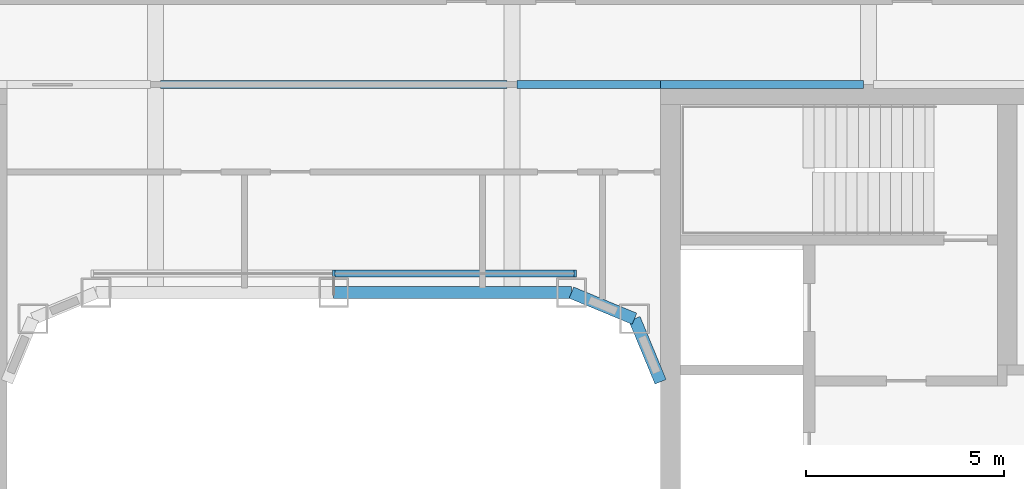
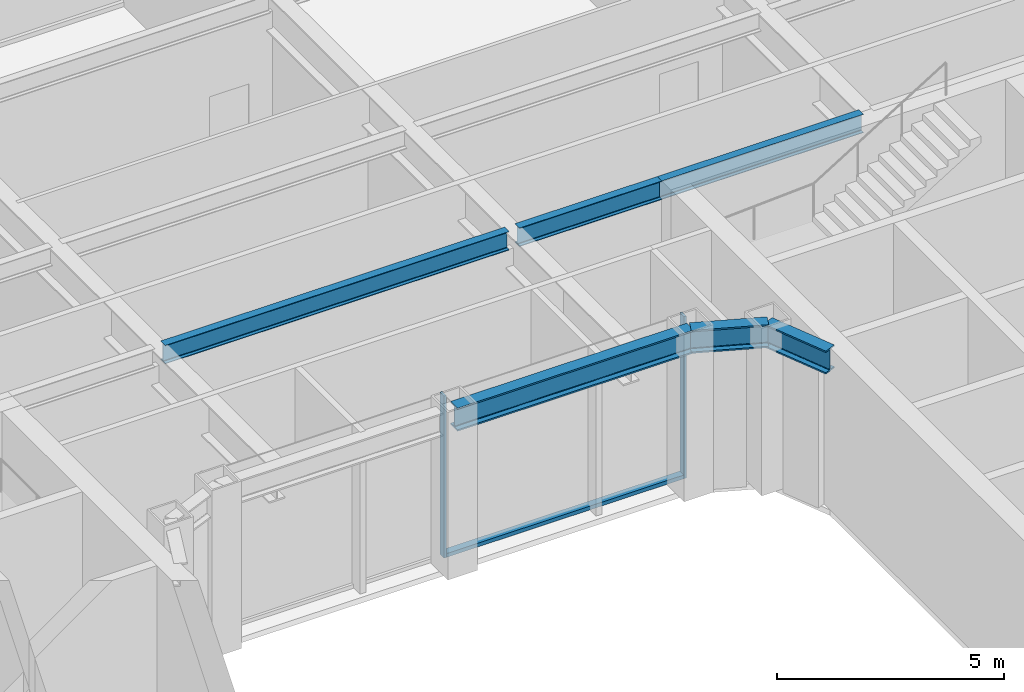
# One storey, part 8 of 25: 6 beams, 3 members, 1 element without a shape of its own.
"""IFC4 building model written with IfcOpenShell, lengths in metres."""

from ifc_helpers import new_model, si_unit, direction, frame, origin, origin_2d, place, context, subcontext, project, spatial, rectangle, i_section, extrude, material, layer, layer_set, material_profile, profile_set, type_object, element, aggregate, save


model = new_model("IFC4")

# Units and contexts
model_context = context("Model", 3, precision=1e-05, world=origin(), true_north=direction((0.0, 1.0)))
body_context = subcontext(model_context, "Body", "Model", "MODEL_VIEW")
ifc_project = project(units=[si_unit("LENGTHUNIT", "METRE"), si_unit("AREAUNIT", "SQUARE_METRE"), si_unit("VOLUMEUNIT", "CUBIC_METRE"), si_unit("PLANEANGLEUNIT", "RADIAN"), si_unit("MASSUNIT", "GRAM", prefix="KILO")], contexts=[model_context])

# Site, building, storey
site_placement = place(None, origin())
site = spatial("IfcSite", under=ifc_project, at=site_placement, CompositionType="ELEMENT")
building_placement = place(site_placement, origin())
building = spatial("IfcBuilding", under=site, at=building_placement, Name="Siwar Civic Tower", CompositionType="ELEMENT")
storey_placement = place(building_placement, frame((0.0, 0.0, 58.199951171875)))
storey = spatial("IfcBuildingStorey", under=building, at=storey_placement, Name="L12", CompositionType="ELEMENT", Elevation=58.199951171875)

# Curtain wall, members
ifc_material_1 = material(Name="Aluminium and glass", Category="aluminium")
ifc_layer = layer(ifc_material_1, 0.179931640625)
ifc_layer_set = layer_set([ifc_layer], Name="Aluminium and glass")
curtain_wall_type = type_object("IfcCurtainWallType", Name="ENV-CW-W", PredefinedType="NOTDEFINED", material=ifc_layer_set)
curtain_wall_placement = place(storey_placement, origin())
curtain_wall = element("IfcCurtainWall", 1, at=curtain_wall_placement, inside=storey, type_object=curtain_wall_type, Name="Curtain wall W WN", PredefinedType="NOTDEFINED")
ifc_material_2 = material(Name="Aluminium 6063-T6", Category="aluminium")
ifc_material_profile_1 = material_profile(ifc_material_2, rectangle(XDim=0.179931640625, YDim=0.06005859375, at=origin_2d()), Name="AL 180x60")
ifc_profile_set_1 = profile_set([ifc_material_profile_1], Name="Aluminium 6063-T6")
member_type_1 = type_object("IfcMemberType", Name="ENV-MULLION-W", PredefinedType="MULLION", material=ifc_profile_set_1)
member_1_placement = place(storey_placement, frame((6.096435546875, 8.735107421875, 0.0), z_axis=(0.0, 0.0, 1.0), x_axis=(0.0, -1.0, 0.0)))
member_1 = element("IfcMember", 2, at=member_1_placement, type_object=member_type_1, Name="Mullion W WN 1", PredefinedType="MULLION", context=body_context, shape_type="SweptSolid", body=[
    extrude(rectangle(XDim=0.179931640625, YDim=0.06005859375, at=origin_2d()), origin(), (0.0, 0.0, 1.0), 4.35009765625),
])
member_2_placement = place(storey_placement, frame((0.0, 8.735107421875, 0.0), z_axis=(0.0, 0.0, 1.0), x_axis=(0.0, -1.0, 0.0)))
member_2 = element("IfcMember", 3, at=member_2_placement, type_object=member_type_1, Name="Mullion W WN 2", PredefinedType="MULLION", context=body_context, shape_type="SweptSolid", body=[
    extrude(rectangle(XDim=0.179931640625, YDim=0.06005859375, at=origin_2d()), origin(), (0.0, 0.0, 1.0), 4.35009765625),
])
ifc_material_3 = material(Name="Aluminium 6063-T6", Category="aluminium")
ifc_material_profile_2 = material_profile(ifc_material_3, rectangle(XDim=0.179931640625, YDim=0.10009765625, at=origin_2d()), Name="AL 180x100")
ifc_profile_set_2 = profile_set([ifc_material_profile_2], Name="Aluminium 6063-T6")
member_type_2 = type_object("IfcMemberType", Name="ENV-TRANSOM-W", PredefinedType="USERDEFINED", material=ifc_profile_set_2)
member_3_placement = place(storey_placement, frame((6.06640625, 8.735107421875, 0.050048828125), z_axis=(-1.0, 0.0, 0.0), x_axis=(0.0, -1.0, 0.0)))
member_3 = element("IfcMember", 4, at=member_3_placement, type_object=member_type_2, Name="Transom W WN 1", ObjectType="TRANSOM", PredefinedType="USERDEFINED", context=body_context, shape_type="SweptSolid", body=[
    extrude(rectangle(XDim=0.179931640625, YDim=0.10009765625, at=origin_2d()), origin(), (0.0, 0.0, 1.0), 6.036376953125),
])
aggregate(curtain_wall, [member_1, member_2, member_3])

# Beams
ifc_material_4 = material(Name="Steel S355", Category="steel")
ifc_material_profile_3 = material_profile(ifc_material_4, i_section(OverallWidth=0.199951171875, OverallDepth=0.5, WebThickness=0.01025390625, FlangeThickness=0.01611328125, FilletRadius=0.02099609375, at=origin_2d()), Name="IPE500")
ifc_profile_set_3 = profile_set([ifc_material_profile_3], Name="Steel S355")
beam_type_1 = type_object("IfcBeamType", Name="STR-FB-IPE500", PredefinedType="JOIST", material=ifc_profile_set_3)
beam_1_placement = place(storey_placement, frame((-4.3701171875, 13.5, 4.10009765625), z_axis=(1.0, 0.0, 0.0), x_axis=(0.0, 1.0, 0.0)))
element("IfcBeam", 5, at=beam_1_placement, inside=storey, type_object=beam_type_1, Name="L12/bm/F041", PredefinedType="JOIST", context=body_context, shape_type="SweptSolid", body=[
    extrude(i_section(OverallWidth=0.199951171875, OverallDepth=0.5, WebThickness=0.01025390625, FlangeThickness=0.01611328125, FilletRadius=0.02099609375, at=origin_2d()), origin(), (0.0, 0.0, 1.0), 8.740234375),
])
beam_2_placement = place(storey_placement, frame((4.6298828125, 13.5, 4.10009765625), z_axis=(1.0, 0.0, 0.0), x_axis=(0.0, 1.0, 0.0)))
element("IfcBeam", 6, at=beam_2_placement, inside=storey, type_object=beam_type_1, Name="L12/bm/F042", PredefinedType="JOIST", context=body_context, shape_type="SweptSolid", body=[
    extrude(i_section(OverallWidth=0.199951171875, OverallDepth=0.5, WebThickness=0.01025390625, FlangeThickness=0.01611328125, FilletRadius=0.02099609375, at=origin_2d()), origin(), (0.0, 0.0, 1.0), 3.6201171875),
])
beam_3_placement = place(storey_placement, frame((8.25, 13.5, 4.10009765625), z_axis=(1.0, 0.0, 0.0), x_axis=(0.0, 1.0, 0.0)))
element("IfcBeam", 7, at=beam_3_placement, inside=storey, type_object=beam_type_1, Name="L12/bm/F043", PredefinedType="JOIST", context=body_context, shape_type="SweptSolid", body=[
    extrude(i_section(OverallWidth=0.199951171875, OverallDepth=0.5, WebThickness=0.01025390625, FlangeThickness=0.01611328125, FilletRadius=0.02099609375, at=origin_2d()), origin(), (0.0, 0.0, 1.0), 5.1201171875),
])
ifc_material_5 = material(Name="Steel S355", Category="steel")
ifc_material_profile_4 = material_profile(ifc_material_5, i_section(OverallWidth=0.304931640625, OverallDepth=0.6201171875, WebThickness=0.02099609375, FlangeThickness=0.0400390625, FilletRadius=0.027099609375, at=origin_2d()), Name="HEM600")
ifc_profile_set_4 = profile_set([ifc_material_profile_4], Name="Steel S355")
beam_type_2 = type_object("IfcBeamType", Name="STR-RB-HEM600", PredefinedType="BEAM", material=ifc_profile_set_4)
beam_4_placement = place(storey_placement, frame((0.0, 8.25, 4.0400390625), z_axis=(1.0, 0.0, 0.0), x_axis=(0.0, 1.0, 0.0)))
element("IfcBeam", 8, at=beam_4_placement, inside=storey, type_object=beam_type_2, Name="L12/bm/RN2", PredefinedType="BEAM", context=body_context, shape_type="SweptSolid", body=[
    extrude(i_section(OverallWidth=0.304931640625, OverallDepth=0.6201171875, WebThickness=0.02099609375, FlangeThickness=0.0400390625, FilletRadius=0.027099609375, at=origin_2d()), origin(), (0.0, 0.0, 1.0), 6.0),
])
for number, where, z_axis, x_axis, name in (
    (9, (6.0, 8.25, 4.0400390625), (0.923901072997, -0.382631424892, 0.0), (0.382631424892, 0.923901072997, 0.0), "L12/bm/RN3"),
    (10, (7.591064453125, 7.591064453125, 4.0400390625), (0.382631424892, -0.923901072997, 0.0), (0.923901072997, 0.382631424892, 0.0), "L12/bm/RNEE"),
):
    element("IfcBeam", number, at=place(storey_placement, frame(where, z_axis=z_axis, x_axis=x_axis)), inside=storey, type_object=beam_type_2, Name=name, PredefinedType="BEAM", context=body_context, shape_type="SweptSolid", body=[
        extrude(i_section(OverallWidth=0.304931640625, OverallDepth=0.6201171875, WebThickness=0.02099609375, FlangeThickness=0.0400390625, FilletRadius=0.027099609375, at=origin_2d()), origin(), (0.0, 0.0, 1.0), 1.72216796875),
    ])

save(model, "model.ifc")
